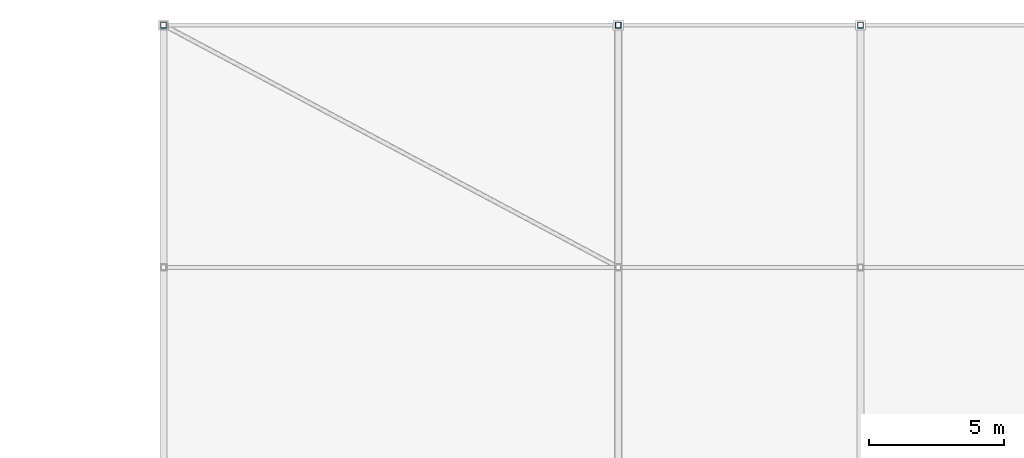
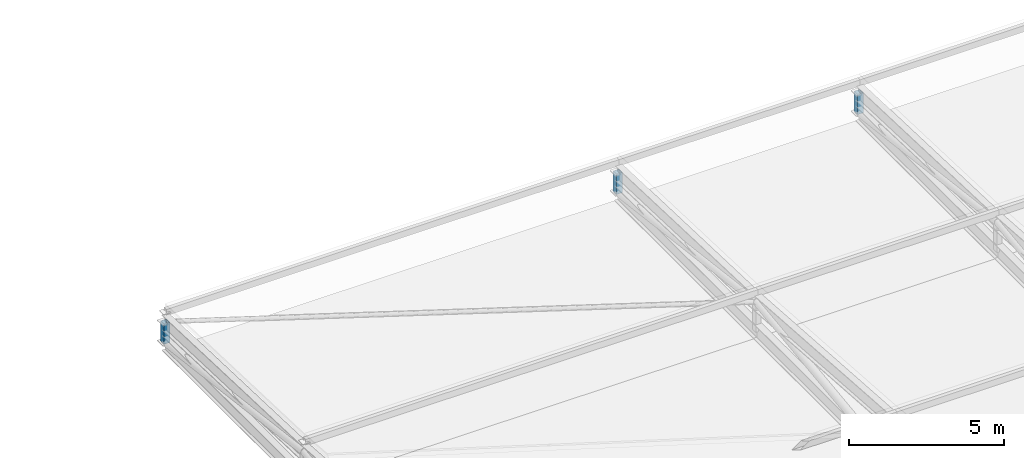
# One storey, part 83 of 114: 3 members.
"""IFC4 building model written with IfcOpenShell, lengths in metres."""

from ifc_helpers import new_model, si_unit, direction, frame, origin, origin_2d, place, context, subcontext, project, spatial, hollow_rectangle, extrude, material, material_profile, profile_set, type_object, element, save


model = new_model("IFC4")

# Units and contexts
model_context = context("Model", 3, precision=1e-05, world=origin(), true_north=direction((0.0, 1.0)))
body_context = subcontext(model_context, "Body", "Model", "MODEL_VIEW")
ifc_project = project(units=[si_unit("LENGTHUNIT", "METRE"), si_unit("AREAUNIT", "SQUARE_METRE"), si_unit("VOLUMEUNIT", "CUBIC_METRE"), si_unit("PLANEANGLEUNIT", "RADIAN"), si_unit("MASSUNIT", "GRAM", prefix="KILO"), si_unit("THERMODYNAMICTEMPERATUREUNIT", "KELVIN"), si_unit("POWERUNIT", "WATT")], contexts=[model_context])

# Site, building, storey
site_placement = place(None, origin())
site = spatial("IfcSite", under=ifc_project, at=site_placement, CompositionType="ELEMENT")
building_placement = place(site_placement, origin())
building = spatial("IfcBuilding", under=site, at=building_placement, Name="Sindhuravela Promenade Stadium", CompositionType="ELEMENT")
storey_placement = place(building_placement, frame((0.0, 0.0, 24.0)))
storey = spatial("IfcBuildingStorey", under=building, at=storey_placement, Name="L05", CompositionType="ELEMENT", Elevation=24.0)

# Members
ifc_material = material(Name="Steel E350 (IS 2062 E350BR)", Category="steel")
ifc_material_profile = material_profile(ifc_material, hollow_rectangle(XDim=0.219970703125, YDim=0.219970703125, WallThickness=0.011962890625, at=origin_2d()), Name="SHS 220x220x12")
ifc_profile_set = profile_set([ifc_material_profile], Name="Steel E350 (IS 2062 E350BR)")
member_type = type_object("IfcMemberType", Name="ST-MB-SHS220", PredefinedType="POST", material=ifc_profile_set)
for number, where, z_axis, x_axis, name in (
    (1, (55.10009765625, 153.0, 0.0), (0.0, 0.0, 1.0), (1.0, 0.0, 0.0), "Roof truss RT-N01 vertical post 1"),
    (2, (72.0, 153.0, 0.0), (0.0, 0.0, 1.0), (1.0, 0.0, 0.0), "Roof truss RT-N02 vertical post 1"),
    (3, (81.0, 153.0, 0.0), (0.0, 0.0, 1.0), (1.0, 0.0, 0.0), "Roof truss RT-N03 vertical post 1"),
):
    element("IfcMember", number, at=place(storey_placement, frame(where, z_axis=z_axis, x_axis=x_axis)), inside=storey, type_object=member_type, Name=name, PredefinedType="POST", context=body_context, shape_type="SweptSolid", body=[
        extrude(hollow_rectangle(XDim=0.219970703125, YDim=0.219970703125, WallThickness=0.011962890625, at=origin_2d()), origin(), (0.0, 0.0, 1.0), 0.800048828125),
    ])

save(model, "model.ifc")
